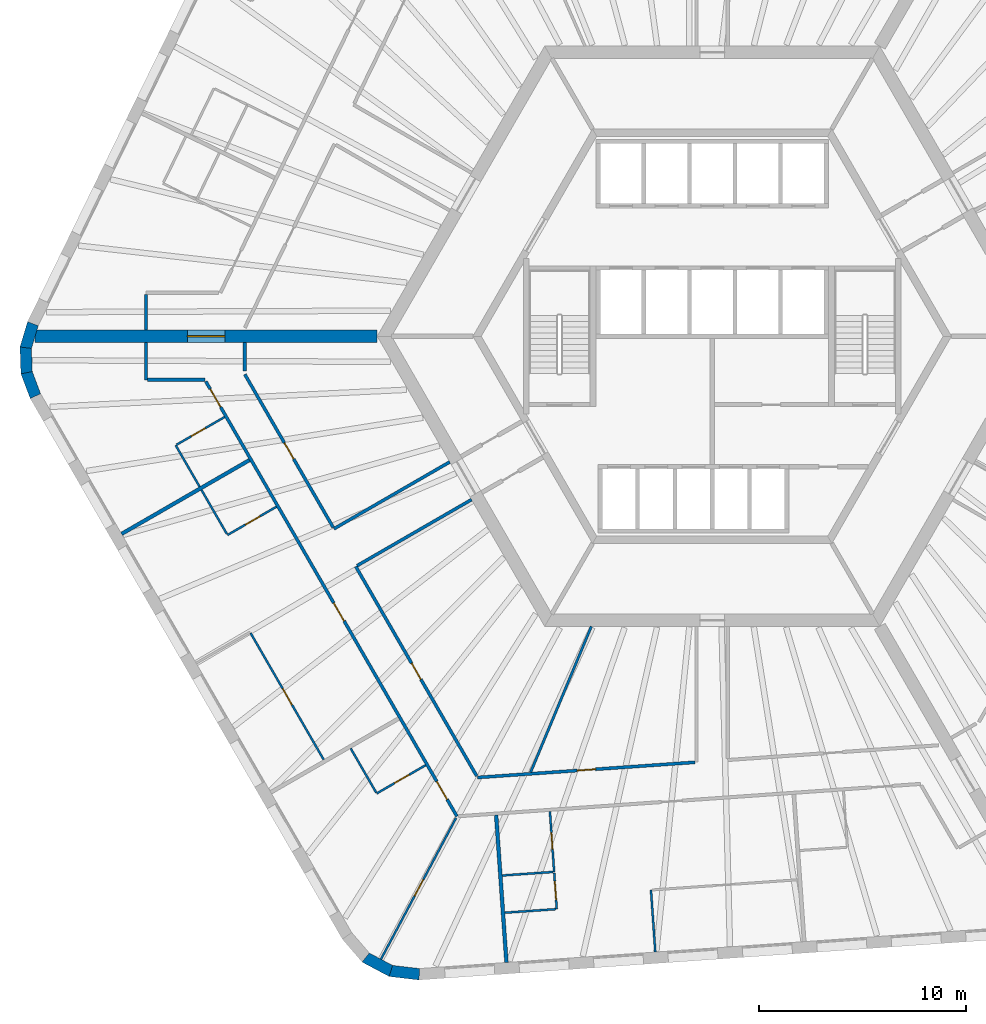
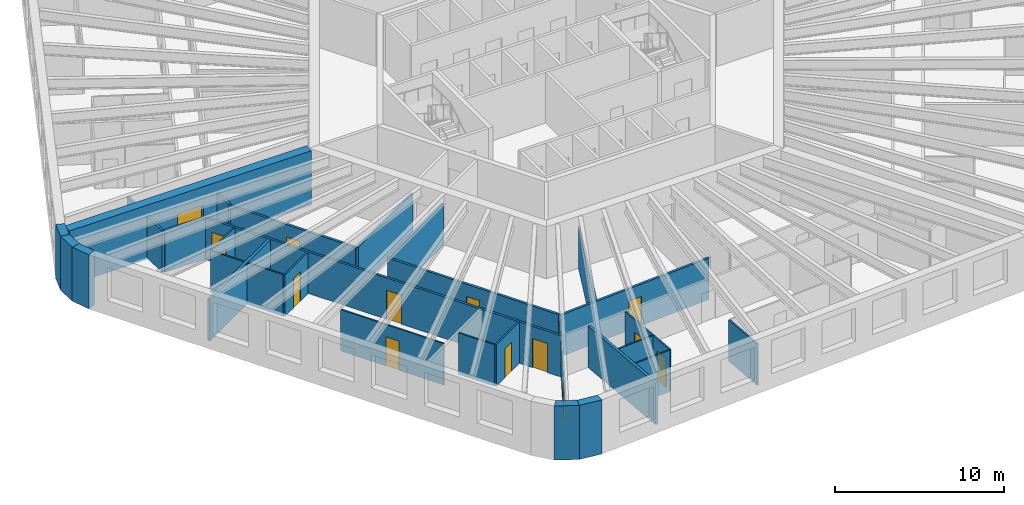
# One storey, part 3 of 12: 32 walls, 14 doors, 14 openings.
"""IFC4 building model written with IfcOpenShell, lengths in metres."""

from ifc_helpers import new_model, si_unit, direction, frame, frame_2d, origin, place, context, subcontext, project, spatial, polyline, rectangle, outline, extrude, material, layer, layer_set, type_object, element, fill, save


model = new_model("IFC4")

# Units and contexts
model_context = context("Model", 3, precision=1e-05, world=origin(), true_north=direction((0.0, 1.0)))
body_context = subcontext(model_context, "Body", "Model", "MODEL_VIEW")
ifc_project = project(units=[si_unit("LENGTHUNIT", "METRE"), si_unit("AREAUNIT", "SQUARE_METRE"), si_unit("VOLUMEUNIT", "CUBIC_METRE"), si_unit("PLANEANGLEUNIT", "RADIAN"), si_unit("MASSUNIT", "GRAM", prefix="KILO")], contexts=[model_context])

# Site, building, storey
site_placement = place(None, origin())
site = spatial("IfcSite", under=ifc_project, at=site_placement, CompositionType="ELEMENT")
building_placement = place(site_placement, origin())
building = spatial("IfcBuilding", under=site, at=building_placement, Name="Tarnside Tower", CompositionType="ELEMENT")
storey_placement = place(building_placement, frame((0.0, 0.0, 96.0)))
storey = spatial("IfcBuildingStorey", under=building, at=storey_placement, Name="L21", CompositionType="ELEMENT", Elevation=96.0)

# Wall
ifc_material_1 = material(Name="Gypsum board partition on steel studs", Category="steel")
ifc_layer_1 = layer(ifc_material_1, 0.10009765625)
ifc_layer_set_1 = layer_set([ifc_layer_1], Name="Bathroom wall 100")
wall_type_1 = type_object("IfcWallType", Name="Bathroom wall 100", PredefinedType="PARTITIONING", material=ifc_layer_set_1)
wall_1_placement = place(storey_placement, frame((-24.7333984375, -7.260498046875, 0.0), z_axis=(0.0, 0.0, 1.0), x_axis=(-0.500015210774, 0.866016621662, 0.0)))
element("IfcWall", 1, at=wall_1_placement, inside=storey, type_object=wall_type_1, Name="Bathroom wall 06110", PredefinedType="PARTITIONING", context=body_context, shape_type="SweptSolid", body=[
    extrude(rectangle(XDim=2.31005859375, YDim=0.10009765625, at=frame_2d((1.155029296875, 0.0))), origin(), (0.0, 0.0, 1.0), 2.98779296875),
])

# Wall, opening, door
wall_2_placement = place(storey_placement, frame((-25.84521484375, -5.23486328125, 0.0), z_axis=(0.0, 0.0, 1.0), x_axis=(0.86604424267, 0.499967368674, 0.0)))
wall_2 = element("IfcWall", 2, at=wall_2_placement, inside=storey, type_object=wall_type_1, Name="Bathroom wall 06111", PredefinedType="PARTITIONING", context=body_context, shape_type="SweptSolid", body=[
    extrude(rectangle(XDim=2.675048828125, YDim=0.10009765625, at=frame_2d((1.33740234375, 0.0))), origin(), (0.0, 0.0, 1.0), 2.98779296875),
])
opening_1_placement = place(wall_2_placement, frame((0.81005859375, 0.0, 0.0)))
opening_1 = element("IfcOpeningElement", 3, at=opening_1_placement, cuts=wall_2, Name="Opening D-B1", PredefinedType="OPENING", context=body_context, shape_type="SweptSolid", body=[
    extrude(rectangle(XDim=0.800048828125, YDim=2.10009765625, at=frame_2d((0.39990234375, 1.050048828125))), frame((0.0, 0.06005859375, 0.0), z_axis=(0.0, -1.0, 0.0), x_axis=(1.0, 0.0, 0.0)), (0.0, 0.0, 1.0), 0.1201171875),
])
ifc_material_2 = material(Name="Timber door leaf", Category="wood")
door_type_1 = type_object("IfcDoorType", Name="Bathroom door 800", OperationType="NOTDEFINED", PredefinedType="DOOR", material=ifc_material_2)
door_1_placement = place(opening_1_placement, origin())
door_1 = element("IfcDoor", 4, at=door_1_placement, inside=storey, type_object=door_type_1, Name="Bathroom door 06017", OperationType="SINGLE_SWING_RIGHT", OverallHeight=2.10009765625, OverallWidth=0.800048828125, PredefinedType="DOOR", context=body_context, shape_type="SweptSolid", body=[
    extrude(rectangle(XDim=0.800048828125, YDim=2.10009765625, at=frame_2d((0.39990234375, 1.050048828125))), frame((0.0, 0.02490234375, 0.0), z_axis=(0.0, -1.0, 0.0), x_axis=(1.0, 0.0, 0.0)), (0.0, 0.0, 1.0), 0.050048828125),
])
fill(opening_1, door_1)

wall_3_placement = place(storey_placement, frame((-21.028564453125, -8.2275390625, 0.0), z_axis=(0.0, 0.0, 1.0), x_axis=(-0.866012511928, -0.500022328685, 0.0)))
wall_3 = element("IfcWall", 5, at=wall_3_placement, inside=storey, type_object=wall_type_1, Name="Bathroom wall 06114", PredefinedType="PARTITIONING", context=body_context, shape_type="SweptSolid", body=[
    extrude(rectangle(XDim=2.72509765625, YDim=0.10009765625, at=frame_2d((1.362548828125, 0.0))), origin(), (0.0, 0.0, 1.0), 2.98779296875),
])
opening_2_placement = place(wall_3_placement, frame((0.925048828125, 0.0, 0.0)))
opening_2 = element("IfcOpeningElement", 6, at=opening_2_placement, cuts=wall_3, Name="Opening D-B1", PredefinedType="OPENING", context=body_context, shape_type="SweptSolid", body=[
    extrude(rectangle(XDim=0.800048828125, YDim=2.10009765625, at=frame_2d((0.39990234375, 1.050048828125))), frame((0.0, 0.06005859375, 0.0), z_axis=(0.0, -1.0, 0.0), x_axis=(1.0, 0.0, 0.0)), (0.0, 0.0, 1.0), 0.1201171875),
])
door_2_placement = place(opening_2_placement, origin())
door_2 = element("IfcDoor", 7, at=door_2_placement, inside=storey, type_object=door_type_1, Name="Bathroom door 06019", OperationType="SINGLE_SWING_RIGHT", OverallHeight=2.10009765625, OverallWidth=0.800048828125, PredefinedType="DOOR", context=body_context, shape_type="SweptSolid", body=[
    extrude(rectangle(XDim=0.800048828125, YDim=2.10009765625, at=frame_2d((0.39990234375, 1.050048828125))), frame((0.0, 0.02490234375, 0.0), z_axis=(0.0, -1.0, 0.0), x_axis=(1.0, 0.0, 0.0)), (0.0, 0.0, 1.0), 0.050048828125),
])
fill(opening_2, door_2)

# Wall
wall_4_placement = place(storey_placement, frame((-23.413330078125, -9.546875, 0.0), z_axis=(0.0, 0.0, 1.0), x_axis=(-0.499960120811, 0.86604842682, 0.0)))
element("IfcWall", 8, at=wall_4_placement, inside=storey, type_object=wall_type_1, Name="Bathroom wall 06115", PredefinedType="PARTITIONING", context=body_context, shape_type="SweptSolid", body=[
    extrude(rectangle(XDim=2.460205078125, YDim=0.10009765625, at=frame_2d((1.22998046875, 0.0))), origin(), (0.0, 0.0, 1.0), 2.98779296875),
])

# Wall, opening, door
wall_5_placement = place(storey_placement, frame((-13.82861328125, -20.6982421875, 0.0), z_axis=(0.0, 0.0, 1.0), x_axis=(-0.866012511928, -0.500022328685, 0.0)))
wall_5 = element("IfcWall", 9, at=wall_5_placement, inside=storey, type_object=wall_type_1, Name="Bathroom wall 06121", PredefinedType="PARTITIONING", context=body_context, shape_type="SweptSolid", body=[
    extrude(rectangle(XDim=2.72509765625, YDim=0.10009765625, at=frame_2d((1.362548828125, 0.0))), origin(), (0.0, 0.0, 1.0), 2.98779296875),
])
opening_3_placement = place(wall_5_placement, frame((0.925048828125, 0.0, 0.0)))
opening_3 = element("IfcOpeningElement", 10, at=opening_3_placement, cuts=wall_5, Name="Opening D-B1", PredefinedType="OPENING", context=body_context, shape_type="SweptSolid", body=[
    extrude(rectangle(XDim=0.800048828125, YDim=2.10009765625, at=frame_2d((0.39990234375, 1.050048828125))), frame((0.0, 0.06005859375, 0.0), z_axis=(0.0, -1.0, 0.0), x_axis=(1.0, 0.0, 0.0)), (0.0, 0.0, 1.0), 0.1201171875),
])
door_3_placement = place(opening_3_placement, origin())
door_3 = element("IfcDoor", 11, at=door_3_placement, inside=storey, type_object=door_type_1, Name="Bathroom door 06022", OperationType="SINGLE_SWING_RIGHT", OverallHeight=2.10009765625, OverallWidth=0.800048828125, PredefinedType="DOOR", context=body_context, shape_type="SweptSolid", body=[
    extrude(rectangle(XDim=0.800048828125, YDim=2.10009765625, at=frame_2d((0.39990234375, 1.050048828125))), frame((0.0, 0.02490234375, 0.0), z_axis=(0.0, -1.0, 0.0), x_axis=(1.0, 0.0, 0.0)), (0.0, 0.0, 1.0), 0.050048828125),
])
fill(opening_3, door_3)

# Wall
wall_6_placement = place(storey_placement, frame((-16.21337890625, -22.017578125, 0.0), z_axis=(0.0, 0.0, 1.0), x_axis=(-0.500003092839, 0.866023618125, 0.0)))
element("IfcWall", 12, at=wall_6_placement, inside=storey, type_object=wall_type_1, Name="Bathroom wall 06122", PredefinedType="PARTITIONING", context=body_context, shape_type="SweptSolid", body=[
    extrude(rectangle(XDim=2.4599609375, YDim=0.10009765625, at=frame_2d((1.22998046875, 0.0))), origin(), (0.0, 0.0, 1.0), 2.98779296875),
])

# Wall, opening, door
wall_7_placement = place(storey_placement, frame((-7.830810546875, -22.927001953125, 0.0), z_axis=(0.0, 0.0, 1.0), x_axis=(0.069775971057, -0.997562686683, 0.0)))
wall_7 = element("IfcWall", 13, at=wall_7_placement, inside=storey, type_object=wall_type_1, Name="Bathroom wall 06127", PredefinedType="PARTITIONING", context=body_context, shape_type="SweptSolid", body=[
    extrude(rectangle(XDim=2.925048828125, YDim=0.10009765625, at=frame_2d((1.46240234375, 0.0))), origin(), (0.0, 0.0, 1.0), 2.98779296875),
])
opening_4_placement = place(wall_7_placement, frame((1.02490234375, 0.0, 0.0)))
opening_4 = element("IfcOpeningElement", 14, at=opening_4_placement, cuts=wall_7, Name="Opening D-B1", PredefinedType="OPENING", context=body_context, shape_type="SweptSolid", body=[
    extrude(rectangle(XDim=0.800048828125, YDim=2.10009765625, at=frame_2d((0.39990234375, 1.050048828125))), frame((0.0, 0.06005859375, 0.0), z_axis=(0.0, -1.0, 0.0), x_axis=(1.0, 0.0, 0.0)), (0.0, 0.0, 1.0), 0.1201171875),
])
door_4_placement = place(opening_4_placement, origin())
door_4 = element("IfcDoor", 15, at=door_4_placement, inside=storey, type_object=door_type_1, Name="Bathroom door 06025", OperationType="SINGLE_SWING_RIGHT", OverallHeight=2.10009765625, OverallWidth=0.800048828125, PredefinedType="DOOR", context=body_context, shape_type="SweptSolid", body=[
    extrude(rectangle(XDim=0.800048828125, YDim=2.10009765625, at=frame_2d((0.39990234375, 1.050048828125))), frame((0.0, 0.02490234375, 0.0), z_axis=(0.0, -1.0, 0.0), x_axis=(1.0, 0.0, 0.0)), (0.0, 0.0, 1.0), 0.050048828125),
])
fill(opening_4, door_4)

# Wall
wall_8_placement = place(storey_placement, frame((-10.130615234375, -26.02001953125, 0.0), z_axis=(0.0, 0.0, 1.0), x_axis=(0.997562906323, 0.069772830877, 0.0)))
element("IfcWall", 16, at=wall_8_placement, inside=storey, type_object=wall_type_1, Name="Bathroom wall 06134", PredefinedType="PARTITIONING", context=body_context, shape_type="SweptSolid", body=[
    extrude(rectangle(XDim=2.4599609375, YDim=0.10009765625, at=frame_2d((1.22998046875, 0.0))), origin(), (0.0, 0.0, 1.0), 2.98779296875),
])

# Wall, opening, door
ifc_material_3 = material(Name="Concrete C80/95", Category="concrete")
ifc_layer_2 = layer(ifc_material_3, 0.60009765625)
ifc_layer_set_2 = layer_set([ifc_layer_2], Name="Core wall Z1 600 C80/95")
wall_type_2 = type_object("IfcWallType", Name="Core wall Z1 600 C80/95", PredefinedType="SHEAR", material=ifc_layer_set_2)
wall_9_placement = place(storey_placement, frame((-16.165771484375, 0.0, -0.14990234375), z_axis=(0.0, 0.0, 1.0), x_axis=(-1.0, 0.0, 0.0)))
wall_9 = element("IfcWall", 17, at=wall_9_placement, inside=storey, type_object=wall_type_2, Name="L21 spine wall 2", PredefinedType="SHEAR", context=body_context, shape_type="SweptSolid", body=[
    extrude(rectangle(XDim=16.509033203125, YDim=0.60009765625, at=frame_2d((8.25439453125, 0.0))), origin(), (0.0, 0.0, 1.0), 3.89990234375),
])
opening_5_placement = place(wall_9_placement, frame((7.3544921875, 0.0, 0.14990234375)))
opening_5 = element("IfcOpeningElement", 18, at=opening_5_placement, cuts=wall_9, Name="Opening CD-SPN", PredefinedType="OPENING", context=body_context, shape_type="SweptSolid", body=[
    extrude(rectangle(XDim=1.800048828125, YDim=2.39990234375, at=frame_2d((0.89990234375, 1.199951171875))), frame((0.0, 0.31005859375, 0.0), z_axis=(0.0, -1.0, 0.0), x_axis=(1.0, 0.0, 0.0)), (0.0, 0.0, 1.0), 0.6201171875),
])
ifc_material_4 = material(Name="Steel fire door", Category="steel")
door_type_2 = type_object("IfcDoorType", Name="Spine passage double door FD60 1800x2400", OperationType="NOTDEFINED", PredefinedType="DOOR", material=ifc_material_4)
door_5_placement = place(opening_5_placement, origin())
door_5 = element("IfcDoor", 19, at=door_5_placement, inside=storey, type_object=door_type_2, Name="L21 spine passage door 2", OperationType="DOUBLE_DOOR_SINGLE_SWING", OverallHeight=2.39990234375, OverallWidth=1.800048828125, PredefinedType="DOOR", context=body_context, shape_type="SweptSolid", body=[
    extrude(rectangle(XDim=1.800048828125, YDim=2.39990234375, at=frame_2d((0.89990234375, 1.199951171875))), frame((0.0, 0.02490234375, 0.0), z_axis=(0.0, -1.0, 0.0), x_axis=(1.0, 0.0, 0.0)), (0.0, 0.0, 1.0), 0.050048828125),
])
fill(opening_5, door_5)

# Walls
ifc_layer_3 = layer(ifc_material_1, 0.14990234375)
ifc_layer_set_3 = layer_set([ifc_layer_3], Name="Corridor wall 150 EI 60")
wall_type_3 = type_object("IfcWallType", Name="Corridor wall 150 EI 60", PredefinedType="PARTITIONING", material=ifc_layer_set_3)
wall_10_placement = place(storey_placement, frame((-27.3203125, 2.02490234375, 0.0), z_axis=(0.0, 0.0, 1.0), x_axis=(0.0, -1.0, 0.0)))
element("IfcWall", 20, at=wall_10_placement, inside=storey, type_object=wall_type_3, Name="Corridor wall 06013", PredefinedType="PARTITIONING", context=body_context, shape_type="SweptSolid", body=[
    extrude(rectangle(XDim=1.724853515625, YDim=0.14990234375, at=frame_2d((0.8623046875, 0.0))), origin(), (0.0, 0.0, 1.0), 2.98779296875),
])
wall_11_placement = place(storey_placement, frame((-27.3203125, -0.300048828125, 0.0), z_axis=(0.0, 0.0, 1.0), x_axis=(0.0, -1.0, 0.0)))
element("IfcWall", 21, at=wall_11_placement, inside=storey, type_object=wall_type_3, Name="Corridor wall 06025", PredefinedType="PARTITIONING", context=body_context, shape_type="SweptSolid", body=[
    extrude(rectangle(XDim=1.800048828125, YDim=0.14990234375, at=frame_2d((0.89990234375, 0.0))), origin(), (0.0, 0.0, 1.0), 2.98779296875),
])
wall_12_placement = place(storey_placement, frame((-27.245361328125, -2.10009765625, 0.0), z_axis=(0.0, 0.0, 1.0), x_axis=(1.0, 0.0, 0.0)))
element("IfcWall", 22, at=wall_12_placement, inside=storey, type_object=wall_type_3, Name="Corridor wall 06026", PredefinedType="PARTITIONING", context=body_context, shape_type="SweptSolid", body=[
    extrude(rectangle(XDim=2.765625, YDim=0.14990234375, at=frame_2d((1.3828125, 0.0))), origin(), (0.0, 0.0, 1.0), 2.98779296875),
])

# Wall, openings, doors
wall_13_placement = place(storey_placement, frame((-24.436279296875, -2.175048828125, 0.0), z_axis=(0.0, 0.0, 1.0), x_axis=(0.499996816197, -0.866027241946, 0.0)))
wall_13 = element("IfcWall", 23, at=wall_13_placement, inside=storey, type_object=wall_type_3, Name="Corridor wall 06027", PredefinedType="PARTITIONING", context=body_context, shape_type="SweptSolid", body=[
    extrude(rectangle(XDim=24.238037109375, YDim=0.14990234375, at=frame_2d((12.119140625, 0.0))), origin(), (0.0, 0.0, 1.0), 2.98779296875),
])
opening_6_placement = place(wall_13_placement, frame((0.429443359375, 0.0, 0.0)))
opening_6 = element("IfcOpeningElement", 24, at=opening_6_placement, cuts=wall_13, Name="Opening D-E1", PredefinedType="OPENING", context=body_context, shape_type="SweptSolid", body=[
    extrude(rectangle(XDim=1.0, YDim=2.10009765625, at=frame_2d((0.5, 1.050048828125))), frame((0.0, 0.0849609375, 0.0), z_axis=(0.0, -1.0, 0.0), x_axis=(1.0, 0.0, 0.0)), (0.0, 0.0, 1.0), 0.169921875),
])
opening_7_placement = place(wall_13_placement, frame((12.345703125, 0.0, 0.0)))
opening_7 = element("IfcOpeningElement", 25, at=opening_7_placement, cuts=wall_13, Name="Opening D-E1", PredefinedType="OPENING", context=body_context, shape_type="SweptSolid", body=[
    extrude(rectangle(XDim=1.0, YDim=2.10009765625, at=frame_2d((0.5, 1.050048828125))), frame((0.0, 0.0849609375, 0.0), z_axis=(0.0, -1.0, 0.0), x_axis=(1.0, 0.0, 0.0)), (0.0, 0.0, 1.0), 0.169921875),
])
opening_8_placement = place(wall_13_placement, frame((22.291748046875, 0.0, 0.0)))
opening_8 = element("IfcOpeningElement", 26, at=opening_8_placement, cuts=wall_13, Name="Opening D-E1", PredefinedType="OPENING", context=body_context, shape_type="SweptSolid", body=[
    extrude(rectangle(XDim=1.0, YDim=2.10009765625, at=frame_2d((0.5, 1.050048828125))), frame((0.0, 0.0849609375, 0.0), z_axis=(0.0, -1.0, 0.0), x_axis=(1.0, 0.0, 0.0)), (0.0, 0.0, 1.0), 0.169921875),
])
door_type_3 = type_object("IfcDoorType", Name="Unit entrance door 1000 FD30S", OperationType="NOTDEFINED", PredefinedType="DOOR", material=ifc_material_2)
door_6_placement = place(opening_6_placement, origin())
door_6 = element("IfcDoor", 27, at=door_6_placement, inside=storey, type_object=door_type_3, Name="Unit door 06016", OperationType="SINGLE_SWING_RIGHT", OverallHeight=2.10009765625, OverallWidth=1.0, PredefinedType="DOOR", context=body_context, shape_type="SweptSolid", body=[
    extrude(rectangle(XDim=1.0, YDim=2.10009765625, at=frame_2d((0.5, 1.050048828125))), frame((0.0, 0.02490234375, 0.0), z_axis=(0.0, -1.0, 0.0), x_axis=(1.0, 0.0, 0.0)), (0.0, 0.0, 1.0), 0.050048828125),
])
fill(opening_6, door_6)
door_7_placement = place(opening_7_placement, origin())
door_7 = element("IfcDoor", 28, at=door_7_placement, inside=storey, type_object=door_type_3, Name="Unit door 06018", OperationType="SINGLE_SWING_RIGHT", OverallHeight=2.10009765625, OverallWidth=1.0, PredefinedType="DOOR", context=body_context, shape_type="SweptSolid", body=[
    extrude(rectangle(XDim=1.0, YDim=2.10009765625, at=frame_2d((0.5, 1.050048828125))), frame((0.0, 0.02490234375, 0.0), z_axis=(0.0, -1.0, 0.0), x_axis=(1.0, 0.0, 0.0)), (0.0, 0.0, 1.0), 0.050048828125),
])
fill(opening_7, door_7)
door_8_placement = place(opening_8_placement, origin())
door_8 = element("IfcDoor", 29, at=door_8_placement, inside=storey, type_object=door_type_3, Name="Unit door 06021", OperationType="SINGLE_SWING_LEFT", OverallHeight=2.10009765625, OverallWidth=1.0, PredefinedType="DOOR", context=body_context, shape_type="SweptSolid", body=[
    extrude(rectangle(XDim=1.0, YDim=2.10009765625, at=frame_2d((0.5, 1.050048828125))), frame((0.0, 0.02490234375, 0.0), z_axis=(0.0, -1.0, 0.0), x_axis=(1.0, 0.0, 0.0)), (0.0, 0.0, 1.0), 0.050048828125),
])
fill(opening_8, door_8)

# Wall
wall_14_placement = place(storey_placement, frame((-12.663818359375, -6.065673828125, 0.0), z_axis=(0.0, 0.0, 1.0), x_axis=(-0.866021702275, -0.500006411147, 0.0)))
element("IfcWall", 30, at=wall_14_placement, inside=storey, type_object=wall_type_3, Name="Corridor wall 06040", PredefinedType="PARTITIONING", context=body_context, shape_type="SweptSolid", body=[
    extrude(rectangle(XDim=6.4501953125, YDim=0.14990234375, at=frame_2d((3.22509765625, 0.0))), origin(), (0.0, 0.0, 1.0), 2.98779296875),
])

# Wall, opening, door
wall_15_placement = place(storey_placement, frame((-18.287109375, -9.225830078125, 0.0), z_axis=(0.0, 0.0, 1.0), x_axis=(-0.500004853958, 0.866022601332, 0.0)))
wall_15 = element("IfcWall", 31, at=wall_15_placement, inside=storey, type_object=wall_type_3, Name="Corridor wall 06041", PredefinedType="PARTITIONING", context=body_context, shape_type="SweptSolid", body=[
    extrude(rectangle(XDim=8.53125, YDim=0.14990234375, at=frame_2d((4.265625, 0.0))), origin(), (0.0, 0.0, 1.0), 2.98779296875),
])
opening_9_placement = place(wall_15_placement, frame((3.815673828125, 0.0, 0.0)))
opening_9 = element("IfcOpeningElement", 32, at=opening_9_placement, cuts=wall_15, Name="Opening D-S1", PredefinedType="OPENING", context=body_context, shape_type="SweptSolid", body=[
    extrude(rectangle(XDim=0.89990234375, YDim=2.10009765625, at=frame_2d((0.449951171875, 1.050048828125))), frame((0.0, 0.0849609375, 0.0), z_axis=(0.0, -1.0, 0.0), x_axis=(1.0, 0.0, 0.0)), (0.0, 0.0, 1.0), 0.169921875),
])
door_type_4 = type_object("IfcDoorType", Name="Service room door 900 FD30S", OperationType="NOTDEFINED", PredefinedType="DOOR", material=ifc_material_2)
door_9_placement = place(opening_9_placement, origin())
door_9 = element("IfcDoor", 33, at=door_9_placement, inside=storey, type_object=door_type_4, Name="Service door 06046", OperationType="SINGLE_SWING_RIGHT", OverallHeight=2.10009765625, OverallWidth=0.89990234375, PredefinedType="DOOR", context=body_context, shape_type="SweptSolid", body=[
    extrude(rectangle(XDim=0.89990234375, YDim=2.10009765625, at=frame_2d((0.449951171875, 1.050048828125))), frame((0.0, 0.02490234375, 0.0), z_axis=(0.0, -1.0, 0.0), x_axis=(1.0, 0.0, 0.0)), (0.0, 0.0, 1.0), 0.050048828125),
])
fill(opening_9, door_9)

# Wall
wall_16_placement = place(storey_placement, frame((-22.552734375, -1.6875, 0.0), z_axis=(0.0, 0.0, 1.0), x_axis=(0.0, 1.0, 0.0)))
element("IfcWall", 34, at=wall_16_placement, inside=storey, type_object=wall_type_3, Name="Corridor wall 06042", PredefinedType="PARTITIONING", context=body_context, shape_type="SweptSolid", body=[
    extrude(rectangle(XDim=1.387451171875, YDim=0.14990234375, at=frame_2d((0.69384765625, 0.0))), origin(), (0.0, 0.0, 1.0), 2.98779296875),
])

# Wall, opening, door
wall_17_placement = place(storey_placement, frame((-0.824951171875, -20.5576171875, 0.0), z_axis=(0.0, 0.0, 1.0), x_axis=(-0.997564524135, -0.069749696677, 0.0)))
wall_17 = element("IfcWall", 35, at=wall_17_placement, inside=storey, type_object=wall_type_3, Name="Corridor wall 06044", PredefinedType="PARTITIONING", context=body_context, shape_type="SweptSolid", body=[
    extrude(rectangle(XDim=10.521728515625, YDim=0.14990234375, at=frame_2d((5.2607421875, 0.0))), origin(), (0.0, 0.0, 1.0), 2.98779296875),
])
opening_10_placement = place(wall_17_placement, frame((4.810791015625, 0.0, 0.0)))
opening_10 = element("IfcOpeningElement", 36, at=opening_10_placement, cuts=wall_17, Name="Opening D-S1", PredefinedType="OPENING", context=body_context, shape_type="SweptSolid", body=[
    extrude(rectangle(XDim=0.89990234375, YDim=2.10009765625, at=frame_2d((0.449951171875, 1.050048828125))), frame((0.0, 0.0849609375, 0.0), z_axis=(0.0, -1.0, 0.0), x_axis=(1.0, 0.0, 0.0)), (0.0, 0.0, 1.0), 0.169921875),
])
door_10_placement = place(opening_10_placement, origin())
door_10 = element("IfcDoor", 37, at=door_10_placement, inside=storey, type_object=door_type_4, Name="Service door 06047", OperationType="SINGLE_SWING_LEFT", OverallHeight=2.10009765625, OverallWidth=0.89990234375, PredefinedType="DOOR", context=body_context, shape_type="SweptSolid", body=[
    extrude(rectangle(XDim=0.89990234375, YDim=2.10009765625, at=frame_2d((0.449951171875, 1.050048828125))), frame((0.0, 0.02490234375, 0.0), z_axis=(0.0, -1.0, 0.0), x_axis=(1.0, 0.0, 0.0)), (0.0, 0.0, 1.0), 0.050048828125),
])
fill(opening_10, door_10)

wall_18_placement = place(storey_placement, frame((-11.362548828125, -21.21923828125, 0.0), z_axis=(0.0, 0.0, 1.0), x_axis=(-0.50001451402, 0.866017023949, 0.0)))
wall_18 = element("IfcWall", 38, at=wall_18_placement, inside=storey, type_object=wall_type_3, Name="Corridor wall 06046", PredefinedType="PARTITIONING", context=body_context, shape_type="SweptSolid", body=[
    extrude(rectangle(XDim=11.674072265625, YDim=0.14990234375, at=frame_2d((5.8369140625, 0.0))), origin(), (0.0, 0.0, 1.0), 2.98779296875),
])
opening_11_placement = place(wall_18_placement, frame((5.386962890625, 0.0, 0.0)))
opening_11 = element("IfcOpeningElement", 39, at=opening_11_placement, cuts=wall_18, Name="Opening D-S1", PredefinedType="OPENING", context=body_context, shape_type="SweptSolid", body=[
    extrude(rectangle(XDim=0.89990234375, YDim=2.10009765625, at=frame_2d((0.449951171875, 1.050048828125))), frame((0.0, 0.0849609375, 0.0), z_axis=(0.0, -1.0, 0.0), x_axis=(1.0, 0.0, 0.0)), (0.0, 0.0, 1.0), 0.169921875),
])
door_11_placement = place(opening_11_placement, origin())
door_11 = element("IfcDoor", 40, at=door_11_placement, inside=storey, type_object=door_type_4, Name="Service door 06048", OperationType="SINGLE_SWING_RIGHT", OverallHeight=2.10009765625, OverallWidth=0.89990234375, PredefinedType="DOOR", context=body_context, shape_type="SweptSolid", body=[
    extrude(rectangle(XDim=0.89990234375, YDim=2.10009765625, at=frame_2d((0.449951171875, 1.050048828125))), frame((0.0, 0.02490234375, 0.0), z_axis=(0.0, -1.0, 0.0), x_axis=(1.0, 0.0, 0.0)), (0.0, 0.0, 1.0), 0.050048828125),
])
fill(opening_11, door_11)

# Walls
wall_19_placement = place(storey_placement, frame((-17.134765625, -11.07177734375, 0.0), z_axis=(0.0, 0.0, 1.0), x_axis=(0.866028703517, 0.499994284652, 0.0)))
element("IfcWall", 41, at=wall_19_placement, inside=storey, type_object=wall_type_3, Name="Corridor wall 06047", PredefinedType="PARTITIONING", context=body_context, shape_type="SweptSolid", body=[
    extrude(rectangle(XDim=6.375, YDim=0.14990234375, at=frame_2d((3.1875, 0.0))), origin(), (0.0, 0.0, 1.0), 2.98779296875),
])
ifc_layer_4 = layer(ifc_material_1, 0.179931640625)
ifc_layer_set_4 = layer_set([ifc_layer_4], Name="Demising wall 180 EI 60")
wall_type_4 = type_object("IfcWallType", Name="Demising wall 180 EI 60", PredefinedType="PARTITIONING", material=ifc_layer_set_4)
for number, where, z_axis, x_axis, name in (
    (42, (-28.4990234375, -9.538330078125, 0.0), (0.0, 0.0, 1.0), (0.866024672353, 0.500001266874, 0.0), "Demising wall 06112"),
    (43, (-9.927490234375, -30.216064453125, 0.0), (0.0, 0.0, 1.0), (-0.069764000094, 0.997563523938, 0.0), "Demising wall 06124"),
):
    element("IfcWall", number, at=place(storey_placement, frame(where, z_axis=z_axis, x_axis=x_axis)), inside=storey, type_object=wall_type_4, Name=name, PredefinedType="PARTITIONING", context=body_context, shape_type="SweptSolid", body=[
        extrude(rectangle(XDim=7.125, YDim=0.179931640625, at=frame_2d((3.5625, 0.0))), origin(), (0.0, 0.0, 1.0), 2.98779296875),
    ])

# Wall, opening, door
ifc_layer_5 = layer(ifc_material_1, 0.10009765625)
ifc_layer_set_5 = layer_set([ifc_layer_5], Name="Partition 100")
wall_type_5 = type_object("IfcWallType", Name="Partition 100", PredefinedType="PARTITIONING", material=ifc_layer_set_5)
wall_20_placement = place(storey_placement, frame((-22.27587890625, -14.317138671875, 0.0), z_axis=(0.0, 0.0, 1.0), x_axis=(0.500010820671, -0.866019156377, 0.0)))
wall_20 = element("IfcWall", 44, at=wall_20_placement, inside=storey, type_object=wall_type_5, Name="Partition wall 06117", PredefinedType="PARTITIONING", context=body_context, shape_type="SweptSolid", body=[
    extrude(rectangle(XDim=7.059814453125, YDim=0.10009765625, at=frame_2d((3.52978515625, 0.0))), origin(), (0.0, 0.0, 1.0), 2.98779296875),
])
opening_12_placement = place(wall_20_placement, frame((3.10009765625, 0.0, 0.0)))
opening_12 = element("IfcOpeningElement", 45, at=opening_12_placement, cuts=wall_20, Name="Opening D-I1", PredefinedType="OPENING", context=body_context, shape_type="SweptSolid", body=[
    extrude(rectangle(XDim=0.89990234375, YDim=2.10009765625, at=frame_2d((0.449951171875, 1.050048828125))), frame((0.0, 0.06005859375, 0.0), z_axis=(0.0, -1.0, 0.0), x_axis=(1.0, 0.0, 0.0)), (0.0, 0.0, 1.0), 0.1201171875),
])
door_type_5 = type_object("IfcDoorType", Name="Internal door 900", OperationType="NOTDEFINED", PredefinedType="DOOR", material=ifc_material_2)
door_12_placement = place(opening_12_placement, origin())
door_12 = element("IfcDoor", 46, at=door_12_placement, inside=storey, type_object=door_type_5, Name="Internal door 06020", OperationType="SINGLE_SWING_LEFT", OverallHeight=2.10009765625, OverallWidth=0.89990234375, PredefinedType="DOOR", context=body_context, shape_type="SweptSolid", body=[
    extrude(rectangle(XDim=0.89990234375, YDim=2.10009765625, at=frame_2d((0.449951171875, 1.050048828125))), frame((0.0, 0.02490234375, 0.0), z_axis=(0.0, -1.0, 0.0), x_axis=(1.0, 0.0, 0.0)), (0.0, 0.0, 1.0), 0.050048828125),
])
fill(opening_12, door_12)

wall_21_placement = place(storey_placement, frame((-15.98291015625, -30.059326171875, 0.0), z_axis=(0.0, 0.0, 1.0), x_axis=(0.469478165736, 0.882944081976, 0.0)))
wall_21 = element("IfcWall", 47, at=wall_21_placement, inside=storey, type_object=wall_type_5, Name="Partition wall 06123", PredefinedType="PARTITIONING", context=body_context, shape_type="SweptSolid", body=[
    extrude(rectangle(XDim=7.71923828125, YDim=0.10009765625, at=frame_2d((3.859619140625, 0.0))), origin(), (0.0, 0.0, 1.0), 2.98779296875),
])
opening_13_placement = place(wall_21_placement, frame((3.453857421875, 0.0, 0.0)))
opening_13 = element("IfcOpeningElement", 48, at=opening_13_placement, cuts=wall_21, Name="Opening D-I1", PredefinedType="OPENING", context=body_context, shape_type="SweptSolid", body=[
    extrude(rectangle(XDim=0.89990234375, YDim=2.10009765625, at=frame_2d((0.449951171875, 1.050048828125))), frame((0.0, 0.06005859375, 0.0), z_axis=(0.0, -1.0, 0.0), x_axis=(1.0, 0.0, 0.0)), (0.0, 0.0, 1.0), 0.1201171875),
])
door_13_placement = place(opening_13_placement, origin())
door_13 = element("IfcDoor", 49, at=door_13_placement, inside=storey, type_object=door_type_5, Name="Internal door 06023", OperationType="SINGLE_SWING_LEFT", OverallHeight=2.10009765625, OverallWidth=0.89990234375, PredefinedType="DOOR", context=body_context, shape_type="SweptSolid", body=[
    extrude(rectangle(XDim=0.89990234375, YDim=2.10009765625, at=frame_2d((0.449951171875, 1.050048828125))), frame((0.0, 0.02490234375, 0.0), z_axis=(0.0, -1.0, 0.0), x_axis=(1.0, 0.0, 0.0)), (0.0, 0.0, 1.0), 0.050048828125),
])
fill(opening_13, door_13)

wall_22_placement = place(storey_placement, frame((-7.623291015625, -25.894775390625, 0.0), z_axis=(0.0, 0.0, 1.0), x_axis=(0.069750000204, -0.997564502913, 0.0)))
wall_22 = element("IfcWall", 50, at=wall_22_placement, inside=storey, type_object=wall_type_5, Name="Partition wall 06128", PredefinedType="PARTITIONING", context=body_context, shape_type="SweptSolid", body=[
    extrude(rectangle(XDim=1.75, YDim=0.10009765625, at=frame_2d((0.875, 0.0))), origin(), (0.0, 0.0, 1.0), 2.98779296875),
])
opening_14_placement = place(wall_22_placement, frame((0.39990234375, 0.0, 0.0)))
opening_14 = element("IfcOpeningElement", 51, at=opening_14_placement, cuts=wall_22, Name="Opening D-I1", PredefinedType="OPENING", context=body_context, shape_type="SweptSolid", body=[
    extrude(rectangle(XDim=0.89990234375, YDim=2.10009765625, at=frame_2d((0.449951171875, 1.050048828125))), frame((0.0, 0.06005859375, 0.0), z_axis=(0.0, -1.0, 0.0), x_axis=(1.0, 0.0, 0.0)), (0.0, 0.0, 1.0), 0.1201171875),
])
door_14_placement = place(opening_14_placement, origin())
door_14 = element("IfcDoor", 52, at=door_14_placement, inside=storey, type_object=door_type_5, Name="Internal door 06026", OperationType="SINGLE_SWING_RIGHT", OverallHeight=2.10009765625, OverallWidth=0.89990234375, PredefinedType="DOOR", context=body_context, shape_type="SweptSolid", body=[
    extrude(rectangle(XDim=0.89990234375, YDim=2.10009765625, at=frame_2d((0.449951171875, 1.050048828125))), frame((0.0, 0.02490234375, 0.0), z_axis=(0.0, -1.0, 0.0), x_axis=(1.0, 0.0, 0.0)), (0.0, 0.0, 1.0), 0.050048828125),
])
fill(opening_14, door_14)

# Walls
wall_23_placement = place(storey_placement, frame((-7.551025390625, -27.64404296875, 0.0), z_axis=(0.0, 0.0, 1.0), x_axis=(-0.997563389425, -0.069765923475, 0.0)))
element("IfcWall", 53, at=wall_23_placement, inside=storey, type_object=wall_type_5, Name="Partition wall 06129", PredefinedType="PARTITIONING", context=body_context, shape_type="SweptSolid", body=[
    extrude(rectangle(XDim=2.460205078125, YDim=0.10009765625, at=frame_2d((1.22998046875, 0.0))), origin(), (0.0, 0.0, 1.0), 2.98779296875),
])
wall_24_placement = place(storey_placement, frame((-2.7451171875, -29.7138671875, 0.0), z_axis=(0.0, 0.0, 1.0), x_axis=(-0.069743284499, 0.997564972454, 0.0)))
element("IfcWall", 54, at=wall_24_placement, inside=storey, type_object=wall_type_5, Name="Partition wall 06130", PredefinedType="PARTITIONING", context=body_context, shape_type="SweptSolid", body=[
    extrude(rectangle(XDim=3.0, YDim=0.10009765625, at=frame_2d((1.5, 0.0))), origin(), (0.0, 0.0, 1.0), 2.98779296875),
])
ifc_layer_6 = layer(ifc_material_1, 0.1201171875)
ifc_layer_set_6 = layer_set([ifc_layer_6], Name="Service room wall 120 EI 60")
wall_type_6 = type_object("IfcWallType", Name="Service room wall 120 EI 60", PredefinedType="PARTITIONING", material=ifc_layer_set_6)
wall_25_placement = place(storey_placement, frame((-5.830322265625, -14.0, 0.0), z_axis=(0.0, 0.0, 1.0), x_axis=(-0.384440276883, -0.923149865141, 0.0)))
element("IfcWall", 55, at=wall_25_placement, inside=storey, type_object=wall_type_6, Name="Service wall 06164", PredefinedType="PARTITIONING", context=body_context, shape_type="SweptSolid", body=[
    extrude(rectangle(XDim=7.623291015625, YDim=0.1201171875, at=frame_2d((3.8115234375, 0.0))), origin(), (0.0, 0.0, 1.0), 2.98779296875),
])
ifc_material_5 = material(Name="Facing brick", Category="masonry")
ifc_layer_7 = layer(ifc_material_5, 0.10205078125)
ifc_material_6 = material(Name="Concrete C60/75 precast", Category="concrete")
ifc_layer_8 = layer(ifc_material_6, 0.347900390625)
ifc_material_7 = material(Name="Mineral wool insulation")
ifc_layer_9 = layer(ifc_material_7, 0.10009765625)
ifc_layer_set_7 = layer_set([ifc_layer_7, ifc_layer_8, ifc_layer_9], Name="Tube wall 550 brick faced")
wall_type_7 = type_object("IfcWallType", Name="Tube wall 550 brick faced", PredefinedType="SOLIDWALL", material=ifc_layer_set_7)
wall_26_placement = place(storey_placement, frame((-32.77685546875, 0.605224609375, -0.14990234375), z_axis=(0.0, 0.0, 1.0), x_axis=(-0.286921497463, -0.957954098219, 0.0)))
element("IfcWall", 56, at=wall_26_placement, inside=storey, type_object=wall_type_7, Name="Tube wall L21 F2 chord 05", PredefinedType="SOLIDWALL", context=body_context, shape_type="SweptSolid", body=[
    extrude(outline(polyline([(-0.0224609375, -0.27490234375), (1.25341796875, -0.27490234375), (1.1630859375, 0.27490234375), (0.0224609375, 0.27490234375), (-0.0224609375, -0.27490234375)])), origin(), (0.0, 0.0, 1.0), 3.89990234375),
])
wall_27_placement = place(storey_placement, frame((-33.12353515625, -0.55224609375, -0.14990234375), z_axis=(0.0, 0.0, 1.0), x_axis=(0.03495638276, -0.999388838893, 0.0)))
element("IfcWall", 57, at=wall_27_placement, inside=storey, type_object=wall_type_7, Name="Tube wall L21 F2 chord 06", PredefinedType="SOLIDWALL", context=body_context, shape_type="SweptSolid", body=[
    extrude(outline(polyline([(-0.045166015625, -0.27490234375), (1.25341796875, -0.27490234375), (1.1630859375, 0.27490234375), (0.045166015625, 0.27490234375), (-0.045166015625, -0.27490234375)])), origin(), (0.0, 0.0, 1.0), 3.89990234375),
])
wall_28_placement = place(storey_placement, frame((-33.081298828125, -1.759765625, -0.14990234375), z_axis=(0.0, 0.0, 1.0), x_axis=(0.353027214741, -0.935613053378, 0.0)))
element("IfcWall", 58, at=wall_28_placement, inside=storey, type_object=wall_type_7, Name="Tube wall L21 F2 chord 07", PredefinedType="SOLIDWALL", context=body_context, shape_type="SweptSolid", body=[
    extrude(outline(polyline([(-0.045166015625, -0.27490234375), (1.230712890625, -0.27490234375), (1.185791015625, 0.27490234375), (0.045166015625, 0.27490234375), (-0.045166015625, -0.27490234375)])), origin(), (0.0, 0.0, 1.0), 3.89990234375),
])
wall_29_placement = place(storey_placement, frame((-16.720703125, -29.978515625, -0.14990234375), z_axis=(0.0, 0.0, 1.0), x_axis=(0.882994189209, -0.469383917304, 0.0)))
element("IfcWall", 59, at=wall_29_placement, inside=storey, type_object=wall_type_7, Name="Tube wall L21 F3 chord 10", PredefinedType="SOLIDWALL", context=body_context, shape_type="SweptSolid", body=[
    extrude(outline(polyline([(-0.0517578125, -0.27490234375), (1.4306640625, -0.27490234375), (1.3271484375, 0.27490234375), (0.0517578125, 0.27490234375), (-0.0517578125, -0.27490234375)])), origin(), (0.0, 0.0, 1.0), 3.89990234375),
])
wall_30_placement = place(storey_placement, frame((-15.503173828125, -30.625732421875, -0.14990234375), z_axis=(0.0, 0.0, 1.0), x_axis=(0.993232537394, -0.11614269956, 0.0)))
element("IfcWall", 60, at=wall_30_placement, inside=storey, type_object=wall_type_7, Name="Tube wall L21 F3 chord 11", PredefinedType="SOLIDWALL", context=body_context, shape_type="SweptSolid", body=[
    extrude(outline(polyline([(-0.0517578125, -0.27490234375), (1.404541015625, -0.27490234375), (1.353271484375, 0.27490234375), (0.0517578125, 0.27490234375), (-0.0517578125, -0.27490234375)])), origin(), (0.0, 0.0, 1.0), 3.89990234375),
])

save(model, "model.ifc")
